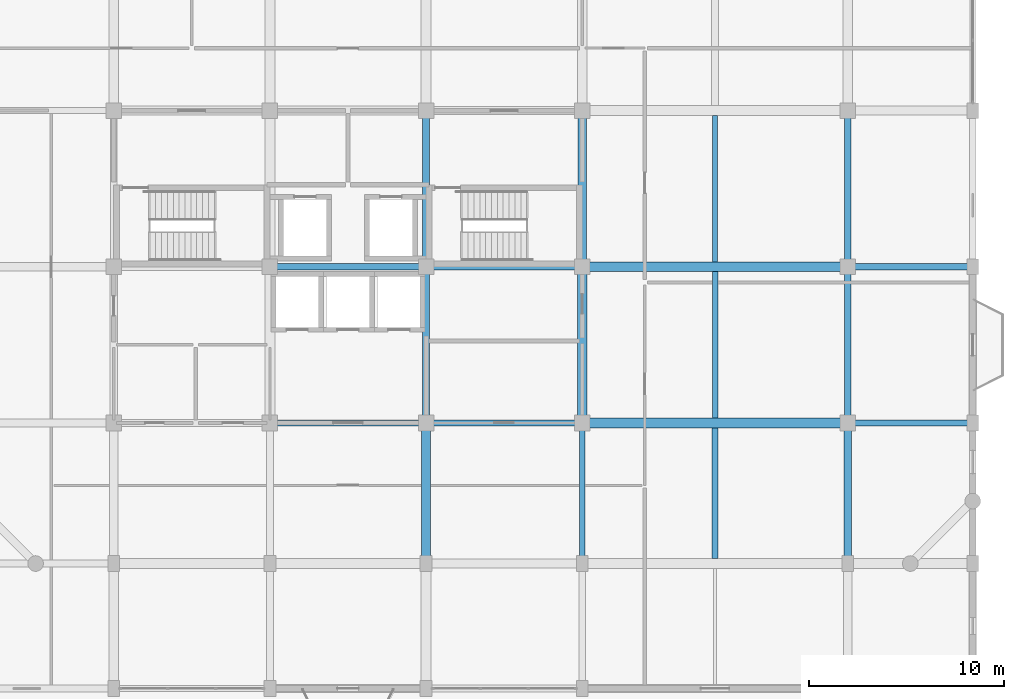
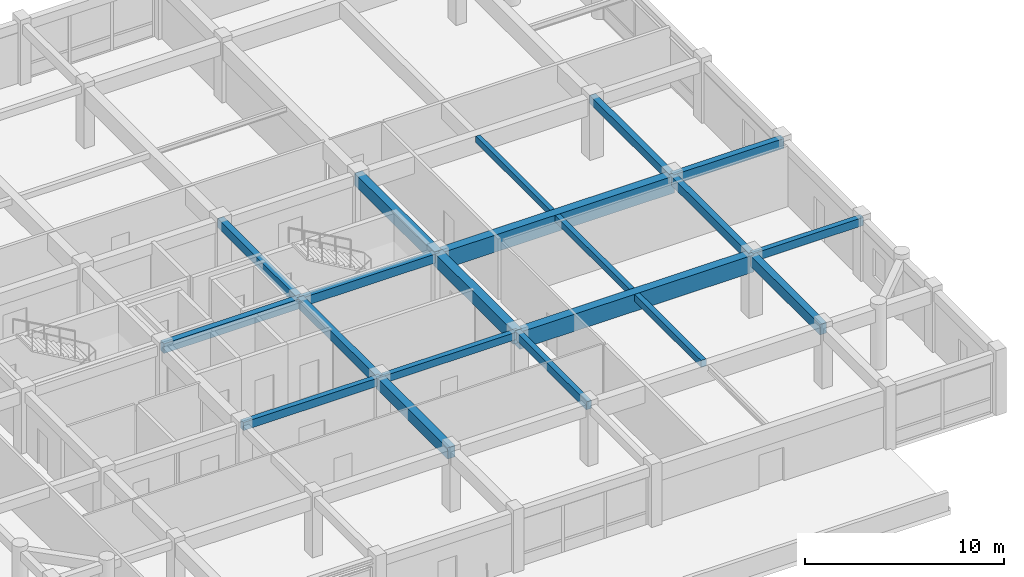
# One storey, part 7 of 20: 20 beams.
"""IFC4 building model written with IfcOpenShell, lengths in metres."""

from ifc_helpers import new_model, si_unit, direction, frame, origin, origin_2d, place, context, subcontext, project, spatial, rectangle, extrude, material, material_profile, profile_set, type_object, element, save


model = new_model("IFC4")

# Units and contexts
model_context = context("Model", 3, precision=1e-05, world=origin(), true_north=direction((0.0, 1.0)))
body_context = subcontext(model_context, "Body", "Model", "MODEL_VIEW")
ifc_project = project(units=[si_unit("LENGTHUNIT", "METRE"), si_unit("AREAUNIT", "SQUARE_METRE"), si_unit("VOLUMEUNIT", "CUBIC_METRE"), si_unit("PLANEANGLEUNIT", "RADIAN"), si_unit("MASSUNIT", "GRAM", prefix="KILO")], contexts=[model_context])

# Site, building, storey
site_placement = place(None, origin())
site = spatial("IfcSite", under=ifc_project, at=site_placement, CompositionType="ELEMENT")
building_placement = place(site_placement, origin())
building = spatial("IfcBuilding", under=site, at=building_placement, Name="Vellmiral Cinema and Media Centre", CompositionType="ELEMENT")
storey_placement = place(building_placement, frame((0.0, 0.0, 23.800048828125)))
storey = spatial("IfcBuildingStorey", under=building, at=storey_placement, Name="L05", CompositionType="ELEMENT", Elevation=23.800048828125)

# Beams
ifc_material_1 = material(Name="Concrete C40/50", Category="concrete")
ifc_material_profile_1 = material_profile(ifc_material_1, rectangle(XDim=0.300048828125, YDim=0.449951171875, at=origin_2d()), Name="RC 300x450")
ifc_profile_set_1 = profile_set([ifc_material_profile_1], Name="Concrete C40/50")
beam_type_1 = type_object("IfcBeamType", Name="BM-RC-300x450", PredefinedType="BEAM", material=ifc_profile_set_1)
beam_1_placement = place(storey_placement, frame((140.0, 79.199951171875, 3.469970703125), z_axis=(1.0, 0.0, 0.0), x_axis=(0.0, 1.0, 0.0)))
element("IfcBeam", 1, at=beam_1_placement, inside=storey, type_object=beam_type_1, Name="Grid Beam L05-X022", PredefinedType="BEAM", context=body_context, shape_type="SweptSolid", body=[
    extrude(rectangle(XDim=0.300048828125, YDim=0.449951171875, at=origin_2d()), origin(), (0.0, 0.0, 1.0), 8.0),
])
ifc_material_2 = material(Name="Concrete C40/50", Category="concrete")
ifc_material_profile_2 = material_profile(ifc_material_2, rectangle(XDim=0.300048828125, YDim=0.5, at=origin_2d()), Name="RC 300x500")
ifc_profile_set_2 = profile_set([ifc_material_profile_2], Name="Concrete C40/50")
beam_type_2 = type_object("IfcBeamType", Name="BM-RC-300x500", PredefinedType="BEAM", material=ifc_profile_set_2)
beam_2_placement = place(storey_placement, frame((132.0, 79.199951171875, 3.445068359375), z_axis=(1.0, 0.0, 0.0), x_axis=(0.0, 1.0, 0.0)))
element("IfcBeam", 2, at=beam_2_placement, inside=storey, type_object=beam_type_2, Name="Grid Beam L05-X021", PredefinedType="BEAM", context=body_context, shape_type="SweptSolid", body=[
    extrude(rectangle(XDim=0.300048828125, YDim=0.5, at=origin_2d()), origin(), (0.0, 0.0, 1.0), 8.0),
])
beam_3_placement = place(storey_placement, frame((161.60009765625, 79.199951171875, 3.445068359375), z_axis=(1.0, 0.0, 0.0), x_axis=(0.0, 1.0, 0.0)))
element("IfcBeam", 3, at=beam_3_placement, inside=storey, type_object=beam_type_2, Name="Grid Beam L05-X024", PredefinedType="BEAM", context=body_context, shape_type="SweptSolid", body=[
    extrude(rectangle(XDim=0.300048828125, YDim=0.5, at=origin_2d()), origin(), (0.0, 0.0, 1.0), 6.39990234375),
])
beam_4_placement = place(storey_placement, frame((148.0, 72.0, 3.445068359375), z_axis=(0.0, 1.0, 0.0), x_axis=(-1.0, 0.0, 0.0)))
element("IfcBeam", 4, at=beam_4_placement, inside=storey, type_object=beam_type_2, Name="Grid Beam L05-Y089", PredefinedType="BEAM", context=body_context, shape_type="SweptSolid", body=[
    extrude(rectangle(XDim=0.300048828125, YDim=0.5, at=origin_2d()), origin(), (0.0, 0.0, 1.0), 7.199951171875),
])
ifc_material_3 = material(Name="Concrete C40/50", Category="concrete")
ifc_material_profile_3 = material_profile(ifc_material_3, rectangle(XDim=0.35009765625, YDim=0.5, at=origin_2d()), Name="RC 350x500")
ifc_profile_set_3 = profile_set([ifc_material_profile_3], Name="Concrete C40/50")
beam_type_3 = type_object("IfcBeamType", Name="BM-RC-350x500", PredefinedType="BEAM", material=ifc_profile_set_3)
beam_5_placement = place(storey_placement, frame((161.60009765625, 87.199951171875, 3.445068359375), z_axis=(0.0, 1.0, 0.0), x_axis=(-1.0, 0.0, 0.0)))
element("IfcBeam", 5, at=beam_5_placement, inside=storey, type_object=beam_type_3, Name="Grid Beam L05-Y097", PredefinedType="BEAM", context=body_context, shape_type="SweptSolid", body=[
    extrude(rectangle(XDim=0.35009765625, YDim=0.5, at=origin_2d()), origin(), (0.0, 0.0, 1.0), 8.0),
])
ifc_material_4 = material(Name="Concrete C40/50", Category="concrete")
ifc_material_profile_4 = material_profile(ifc_material_4, rectangle(XDim=0.35009765625, YDim=0.550048828125, at=origin_2d()), Name="RC 350x550")
ifc_profile_set_4 = profile_set([ifc_material_profile_4], Name="Concrete C40/50")
beam_type_4 = type_object("IfcBeamType", Name="BM-RC-350x550", PredefinedType="BEAM", material=ifc_profile_set_4)
for number, where, z_axis, x_axis, name in (
    (6, (140.0, 87.199951171875, 3.419921875), (1.0, 0.0, 0.0), (0.0, 1.0, 0.0), "Grid Beam L05-X030"),
    (7, (140.0, 87.199951171875, 3.419921875), (0.0, 1.0, 0.0), (-1.0, 0.0, 0.0), "Grid Beam L05-Y085"),
    (8, (161.60009765625, 79.199951171875, 3.419921875), (0.0, 1.0, 0.0), (-1.0, 0.0, 0.0), "Grid Beam L05-Y096"),
):
    element("IfcBeam", number, at=place(storey_placement, frame(where, z_axis=z_axis, x_axis=x_axis)), inside=storey, type_object=beam_type_4, Name=name, PredefinedType="BEAM", context=body_context, shape_type="SweptSolid", body=[
        extrude(rectangle(XDim=0.35009765625, YDim=0.550048828125, at=origin_2d()), origin(), (0.0, 0.0, 1.0), 8.0),
    ])
ifc_material_5 = material(Name="Concrete C40/50", Category="concrete")
ifc_material_profile_5 = material_profile(ifc_material_5, rectangle(XDim=0.35009765625, YDim=0.60009765625, at=origin_2d()), Name="RC 350x600")
ifc_profile_set_5 = profile_set([ifc_material_profile_5], Name="Concrete C40/50")
beam_type_5 = type_object("IfcBeamType", Name="BM-RC-350x600", PredefinedType="BEAM", material=ifc_profile_set_5)
beam_6_placement = place(storey_placement, frame((132.0, 87.199951171875, 3.39501953125), z_axis=(1.0, 0.0, 0.0), x_axis=(0.0, 1.0, 0.0)))
element("IfcBeam", 9, at=beam_6_placement, inside=storey, type_object=beam_type_5, Name="Grid Beam L05-X029", PredefinedType="BEAM", context=body_context, shape_type="SweptSolid", body=[
    extrude(rectangle(XDim=0.35009765625, YDim=0.60009765625, at=origin_2d()), origin(), (0.0, 0.0, 1.0), 8.0),
])
beam_7_placement = place(storey_placement, frame((161.60009765625, 87.199951171875, 3.39501953125), z_axis=(1.0, 0.0, 0.0), x_axis=(0.0, 1.0, 0.0)))
element("IfcBeam", 10, at=beam_7_placement, inside=storey, type_object=beam_type_5, Name="Grid Beam L05-X032", PredefinedType="BEAM", context=body_context, shape_type="SweptSolid", body=[
    extrude(rectangle(XDim=0.35009765625, YDim=0.60009765625, at=origin_2d()), origin(), (0.0, 0.0, 1.0), 6.39990234375),
])
beam_8_placement = place(storey_placement, frame((140.0, 79.199951171875, 3.39501953125), z_axis=(0.0, 1.0, 0.0), x_axis=(-1.0, 0.0, 0.0)))
element("IfcBeam", 11, at=beam_8_placement, inside=storey, type_object=beam_type_5, Name="Grid Beam L05-Y084", PredefinedType="BEAM", context=body_context, shape_type="SweptSolid", body=[
    extrude(rectangle(XDim=0.35009765625, YDim=0.60009765625, at=origin_2d()), origin(), (0.0, 0.0, 1.0), 8.0),
])
ifc_material_6 = material(Name="Concrete C40/50", Category="concrete")
ifc_material_profile_6 = material_profile(ifc_material_6, rectangle(XDim=0.39990234375, YDim=0.64990234375, at=origin_2d()), Name="RC 400x650")
ifc_profile_set_6 = profile_set([ifc_material_profile_6], Name="Concrete C40/50")
beam_type_6 = type_object("IfcBeamType", Name="BM-RC-400x650", PredefinedType="BEAM", material=ifc_profile_set_6)
beam_9_placement = place(storey_placement, frame((161.60009765625, 72.0, 3.369873046875), z_axis=(0.0, 1.0, 0.0), x_axis=(-1.0, 0.0, 0.0)))
element("IfcBeam", 12, at=beam_9_placement, inside=storey, type_object=beam_type_6, Name="Grid Beam L05-Y095", PredefinedType="BEAM", context=body_context, shape_type="SweptSolid", body=[
    extrude(rectangle(XDim=0.39990234375, YDim=0.64990234375, at=origin_2d()), origin(), (0.0, 0.0, 1.0), 7.199951171875),
])
ifc_material_7 = material(Name="Concrete C40/50", Category="concrete")
ifc_material_profile_7 = material_profile(ifc_material_7, rectangle(XDim=0.449951171875, YDim=0.699951171875, at=origin_2d()), Name="RC 450x700")
ifc_profile_set_7 = profile_set([ifc_material_profile_7], Name="Concrete C40/50")
beam_type_7 = type_object("IfcBeamType", Name="BM-RC-450x700", PredefinedType="BEAM", material=ifc_profile_set_7)
beam_10_placement = place(storey_placement, frame((140.0, 72.0, 3.344970703125), z_axis=(0.0, 1.0, 0.0), x_axis=(-1.0, 0.0, 0.0)))
element("IfcBeam", 13, at=beam_10_placement, inside=storey, type_object=beam_type_7, Name="Grid Beam L05-Y083", PredefinedType="BEAM", context=body_context, shape_type="SweptSolid", body=[
    extrude(rectangle(XDim=0.449951171875, YDim=0.699951171875, at=origin_2d()), origin(), (0.0, 0.0, 1.0), 7.199951171875),
])
ifc_material_8 = material(Name="Concrete C40/50", Category="concrete")
ifc_material_profile_8 = material_profile(ifc_material_8, rectangle(XDim=0.449951171875, YDim=0.75, at=origin_2d()), Name="RC 450x750")
ifc_profile_set_8 = profile_set([ifc_material_profile_8], Name="Concrete C40/50")
beam_type_8 = type_object("IfcBeamType", Name="BM-RC-450x750", PredefinedType="BEAM", material=ifc_profile_set_8)
beam_11_placement = place(storey_placement, frame((148.0, 87.199951171875, 3.320068359375), z_axis=(0.0, 1.0, 0.0), x_axis=(-1.0, 0.0, 0.0)))
element("IfcBeam", 14, at=beam_11_placement, inside=storey, type_object=beam_type_8, Name="Grid Beam L05-Y091", PredefinedType="BEAM", context=body_context, shape_type="SweptSolid", body=[
    extrude(rectangle(XDim=0.449951171875, YDim=0.75, at=origin_2d()), origin(), (0.0, 0.0, 1.0), 8.0),
])
ifc_material_9 = material(Name="Concrete C40/50", Category="concrete")
ifc_material_profile_9 = material_profile(ifc_material_9, rectangle(XDim=0.5, YDim=0.800048828125, at=origin_2d()), Name="RC 500x800")
ifc_profile_set_9 = profile_set([ifc_material_profile_9], Name="Concrete C40/50")
beam_type_9 = type_object("IfcBeamType", Name="BM-RC-500x800", PredefinedType="BEAM", material=ifc_profile_set_9)
beam_12_placement = place(storey_placement, frame((148.0, 79.199951171875, 3.294921875), z_axis=(0.0, 1.0, 0.0), x_axis=(-1.0, 0.0, 0.0)))
element("IfcBeam", 15, at=beam_12_placement, inside=storey, type_object=beam_type_9, Name="Grid Beam L05-Y090", PredefinedType="BEAM", context=body_context, shape_type="SweptSolid", body=[
    extrude(rectangle(XDim=0.5, YDim=0.800048828125, at=origin_2d()), origin(), (0.0, 0.0, 1.0), 8.0),
])
ifc_material_10 = material(Name="Concrete C40/50", Category="concrete")
ifc_material_profile_10 = material_profile(ifc_material_10, rectangle(XDim=0.5, YDim=1.050048828125, at=origin_2d()), Name="RC 500x1050")
ifc_profile_set_10 = profile_set([ifc_material_profile_10], Name="Concrete C40/50")
beam_type_10 = type_object("IfcBeamType", Name="BM-RCG-500x1050", PredefinedType="BEAM", material=ifc_profile_set_10)
for number, where, z_axis, x_axis, name in (
    (16, (148.0, 79.199951171875, 3.169921875), (1.0, 0.0, 0.0), (0.0, 1.0, 0.0), "Grid Beam L05-X023"),
    (17, (148.0, 87.199951171875, 3.169921875), (1.0, 0.0, 0.0), (0.0, 1.0, 0.0), "Grid Beam L05-X031"),
):
    element("IfcBeam", number, at=place(storey_placement, frame(where, z_axis=z_axis, x_axis=x_axis)), inside=storey, type_object=beam_type_10, Name=name, PredefinedType="BEAM", context=body_context, shape_type="SweptSolid", body=[
        extrude(rectangle(XDim=0.5, YDim=1.050048828125, at=origin_2d()), origin(), (0.0, 0.0, 1.0), 13.60009765625),
    ])
ifc_material_11 = material(Name="Concrete C40/50", Category="concrete")
ifc_material_profile_11 = material_profile(ifc_material_11, rectangle(XDim=0.260009765625, YDim=0.3798828125, at=origin_2d()), Name="RC 260x380")
ifc_profile_set_11 = profile_set([ifc_material_profile_11], Name="Concrete C40/50")
beam_type_11 = type_object("IfcBeamType", Name="JST-RC-260x380", PredefinedType="JOIST", material=ifc_profile_set_11)
beam_13_placement = place(storey_placement, frame((154.800048828125, 87.449951171875, 3.5048828125), z_axis=(0.0, 1.0, 0.0), x_axis=(-1.0, 0.0, 0.0)))
element("IfcBeam", 18, at=beam_13_placement, inside=storey, type_object=beam_type_11, Name="Secondary Floor Joist L05-009", PredefinedType="JOIST", context=body_context, shape_type="SweptSolid", body=[
    extrude(rectangle(XDim=0.260009765625, YDim=0.3798828125, at=origin_2d()), origin(), (0.0, 0.0, 1.0), 7.5),
])
ifc_material_12 = material(Name="Concrete C40/50", Category="concrete")
ifc_material_profile_12 = material_profile(ifc_material_12, rectangle(XDim=0.280029296875, YDim=0.39990234375, at=origin_2d()), Name="RC 280x400")
ifc_profile_set_12 = profile_set([ifc_material_profile_12], Name="Concrete C40/50")
beam_type_12 = type_object("IfcBeamType", Name="JST-RC-280x400", PredefinedType="JOIST", material=ifc_profile_set_12)
beam_14_placement = place(storey_placement, frame((154.800048828125, 79.449951171875, 3.494873046875), z_axis=(0.0, 1.0, 0.0), x_axis=(-1.0, 0.0, 0.0)))
element("IfcBeam", 19, at=beam_14_placement, inside=storey, type_object=beam_type_12, Name="Secondary Floor Joist L05-008", PredefinedType="JOIST", context=body_context, shape_type="SweptSolid", body=[
    extrude(rectangle(XDim=0.280029296875, YDim=0.39990234375, at=origin_2d()), origin(), (0.0, 0.0, 1.0), 7.5),
])
ifc_material_13 = material(Name="Concrete C40/50", Category="concrete")
ifc_material_profile_13 = material_profile(ifc_material_13, rectangle(XDim=0.300048828125, YDim=0.419921875, at=origin_2d()), Name="RC 300x420")
ifc_profile_set_13 = profile_set([ifc_material_profile_13], Name="Concrete C40/50")
beam_type_13 = type_object("IfcBeamType", Name="JST-RC-300x420", PredefinedType="JOIST", material=ifc_profile_set_13)
beam_15_placement = place(storey_placement, frame((154.800048828125, 72.25, 3.48486328125), z_axis=(0.0, 1.0, 0.0), x_axis=(-1.0, 0.0, 0.0)))
element("IfcBeam", 20, at=beam_15_placement, inside=storey, type_object=beam_type_13, Name="Secondary Floor Joist L05-007", PredefinedType="JOIST", context=body_context, shape_type="SweptSolid", body=[
    extrude(rectangle(XDim=0.300048828125, YDim=0.419921875, at=origin_2d()), origin(), (0.0, 0.0, 1.0), 6.699951171875),
])

save(model, "model.ifc")
